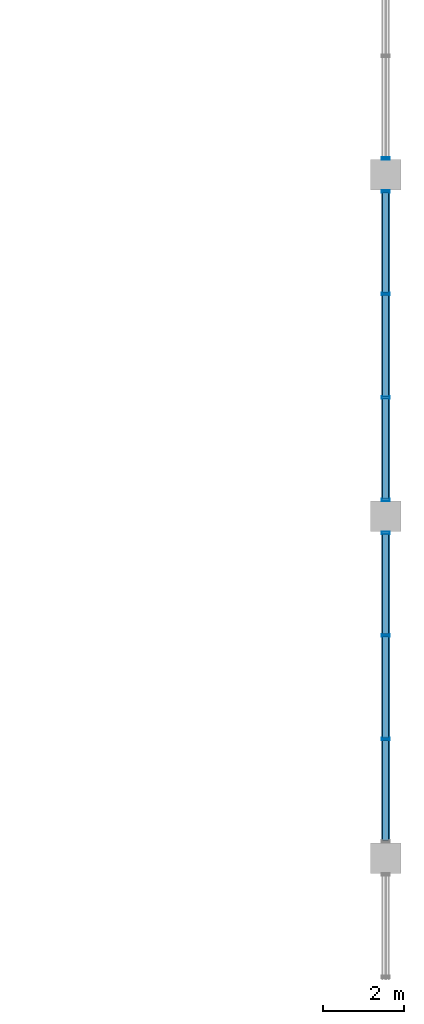
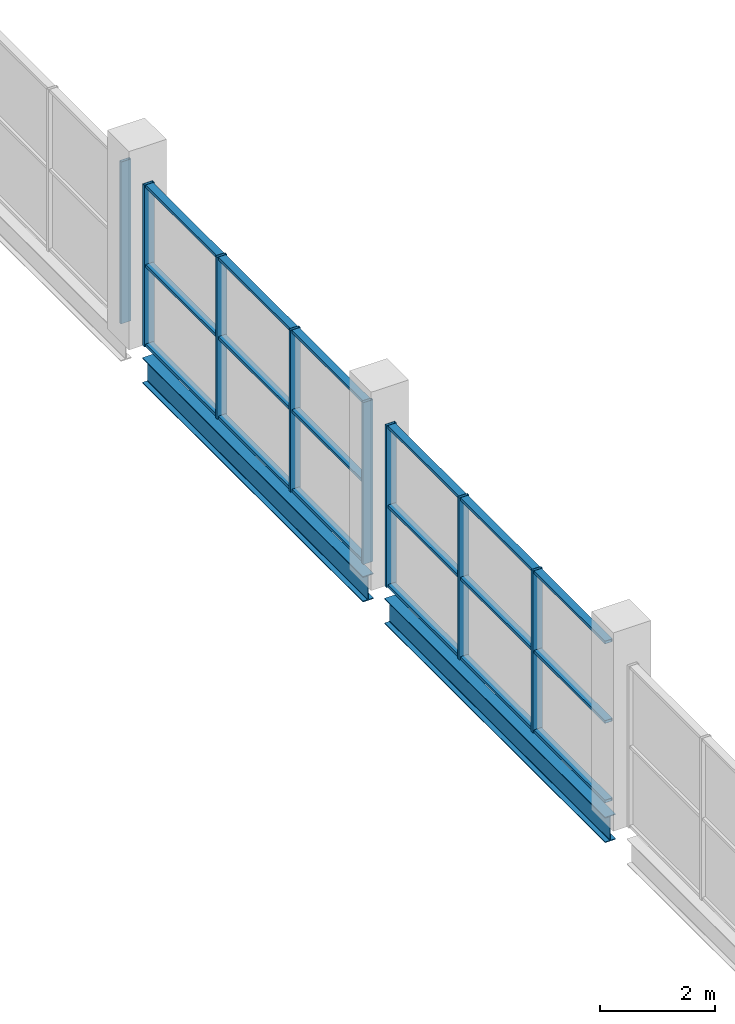
# One storey, part 26 of 68: 26 members, 2 beams, 3 elements without a shape of their own.
"""IFC4 building model written with IfcOpenShell, lengths in metres."""

from ifc_helpers import new_model, si_unit, direction, frame, origin, origin_2d, place, context, subcontext, project, spatial, hollow_rectangle, i_section, extrude, material, material_profile, profile_set, type_object, element, aggregate, save


model = new_model("IFC4")

# Units and contexts
model_context = context("Model", 3, precision=1e-05, world=origin(), true_north=direction((0.0, 1.0)))
body_context = subcontext(model_context, "Body", "Model", "MODEL_VIEW")
ifc_project = project(units=[si_unit("LENGTHUNIT", "METRE"), si_unit("AREAUNIT", "SQUARE_METRE"), si_unit("VOLUMEUNIT", "CUBIC_METRE"), si_unit("PLANEANGLEUNIT", "RADIAN"), si_unit("MASSUNIT", "GRAM", prefix="KILO"), si_unit("THERMODYNAMICTEMPERATUREUNIT", "KELVIN")], contexts=[model_context])

# Site, building, storey
site_placement = place(None, origin())
site = spatial("IfcSite", under=ifc_project, at=site_placement, CompositionType="ELEMENT")
building_placement = place(site_placement, origin())
building = spatial("IfcBuilding", under=site, at=building_placement, Name="Nduvali Passage Aquatics Centre", CompositionType="ELEMENT")
storey_placement = place(building_placement, frame((0.0, 0.0, 13.199951171875)))
storey = spatial("IfcBuildingStorey", under=building, at=storey_placement, Name="L03", CompositionType="ELEMENT", Elevation=13.199951171875)

# Curtain wall, members
ifc_material_1 = material(Name="Aluminium EN AW-6063 T6", Category="aluminium")
curtain_wall_type = type_object("IfcCurtainWallType", Name="ENV-CW-CLER", PredefinedType="NOTDEFINED", material=ifc_material_1)
curtain_wall_1_placement = place(storey_placement, origin())
curtain_wall_1 = element("IfcCurtainWall", 1, at=curtain_wall_1_placement, inside=storey, type_object=curtain_wall_type, Name="L03 East Passage Pool Hall High Arch Clerestory 029", PredefinedType="NOTDEFINED")
ifc_material_profile_1 = material_profile(ifc_material_1, hollow_rectangle(XDim=0.06005859375, YDim=0.199951171875, WallThickness=0.00390625, at=origin_2d()), Name="ALU MULLION 60x200x4")
ifc_profile_set_1 = profile_set([ifc_material_profile_1], Name="Aluminium EN AW-6063 T6")
member_type_1 = type_object("IfcMemberType", Name="ENV-MEM-MUL80", PredefinedType="MULLION", material=ifc_profile_set_1)
member_1_placement = place(storey_placement, frame((126.0, 53.324951171875, 0.0), z_axis=(0.0, 0.0, 1.0), x_axis=(0.0, 1.0, 0.0)))
member_1 = element("IfcMember", 2, at=member_1_placement, type_object=member_type_1, Name="East Passage Pool Hall High Arch Clerestory Mullion 2", PredefinedType="MULLION", context=body_context, shape_type="SweptSolid", body=[
    extrude(hollow_rectangle(XDim=0.06005859375, YDim=0.199951171875, WallThickness=0.00390625, at=origin_2d()), origin(), (0.0, 0.0, 1.0), 3.4267578125),
])
member_2_placement = place(storey_placement, frame((126.0, 55.875, 0.0), z_axis=(0.0, 0.0, 1.0), x_axis=(0.0, 1.0, 0.0)))
member_2 = element("IfcMember", 3, at=member_2_placement, type_object=member_type_1, Name="East Passage Pool Hall High Arch Clerestory Mullion 3", PredefinedType="MULLION", context=body_context, shape_type="SweptSolid", body=[
    extrude(hollow_rectangle(XDim=0.06005859375, YDim=0.199951171875, WallThickness=0.00390625, at=origin_2d()), origin(), (0.0, 0.0, 1.0), 3.4267578125),
])
member_3_placement = place(storey_placement, frame((126.0, 58.39501953125, 0.0), z_axis=(0.0, 0.0, 1.0), x_axis=(0.0, 1.0, 0.0)))
member_3 = element("IfcMember", 4, at=member_3_placement, type_object=member_type_1, Name="East Passage Pool Hall High Arch Clerestory Mullion 4", PredefinedType="MULLION", context=body_context, shape_type="SweptSolid", body=[
    extrude(hollow_rectangle(XDim=0.06005859375, YDim=0.199951171875, WallThickness=0.00390625, at=origin_2d()), origin(), (0.0, 0.0, 1.0), 3.4267578125),
])

curtain_wall_2_placement = place(storey_placement, origin())
curtain_wall_2 = element("IfcCurtainWall", 5, at=curtain_wall_2_placement, inside=storey, type_object=curtain_wall_type, Name="L03 East Passage Pool Hall High Arch Clerestory 032", PredefinedType="NOTDEFINED")
member_4_placement = place(storey_placement, frame((126.0, 59.205078125, 0.0), z_axis=(0.0, 0.0, 1.0), x_axis=(0.0, 1.0, 0.0)))
member_4 = element("IfcMember", 6, at=member_4_placement, type_object=member_type_1, Name="East Passage Pool Hall High Arch Clerestory Mullion 1", PredefinedType="MULLION", context=body_context, shape_type="SweptSolid", body=[
    extrude(hollow_rectangle(XDim=0.06005859375, YDim=0.199951171875, WallThickness=0.00390625, at=origin_2d()), origin(), (0.0, 0.0, 1.0), 3.4267578125),
])
member_5_placement = place(storey_placement, frame((126.0, 61.72509765625, 0.0), z_axis=(0.0, 0.0, 1.0), x_axis=(0.0, 1.0, 0.0)))
member_5 = element("IfcMember", 7, at=member_5_placement, type_object=member_type_1, Name="East Passage Pool Hall High Arch Clerestory Mullion 2", PredefinedType="MULLION", context=body_context, shape_type="SweptSolid", body=[
    extrude(hollow_rectangle(XDim=0.06005859375, YDim=0.199951171875, WallThickness=0.00390625, at=origin_2d()), origin(), (0.0, 0.0, 1.0), 3.4267578125),
])
member_6_placement = place(storey_placement, frame((126.0, 64.27490234375, 0.0), z_axis=(0.0, 0.0, 1.0), x_axis=(0.0, 1.0, 0.0)))
member_6 = element("IfcMember", 8, at=member_6_placement, type_object=member_type_1, Name="East Passage Pool Hall High Arch Clerestory Mullion 3", PredefinedType="MULLION", context=body_context, shape_type="SweptSolid", body=[
    extrude(hollow_rectangle(XDim=0.06005859375, YDim=0.199951171875, WallThickness=0.00390625, at=origin_2d()), origin(), (0.0, 0.0, 1.0), 3.4267578125),
])
member_7_placement = place(storey_placement, frame((126.0, 66.794921875, 0.0), z_axis=(0.0, 0.0, 1.0), x_axis=(0.0, 1.0, 0.0)))
member_7 = element("IfcMember", 9, at=member_7_placement, type_object=member_type_1, Name="East Passage Pool Hall High Arch Clerestory Mullion 4", PredefinedType="MULLION", context=body_context, shape_type="SweptSolid", body=[
    extrude(hollow_rectangle(XDim=0.06005859375, YDim=0.199951171875, WallThickness=0.00390625, at=origin_2d()), origin(), (0.0, 0.0, 1.0), 3.4267578125),
])

# Curtain wall, member
curtain_wall_3_placement = place(storey_placement, origin())
curtain_wall_3 = element("IfcCurtainWall", 10, at=curtain_wall_3_placement, inside=storey, type_object=curtain_wall_type, Name="L03 East Passage Pool Hall High Arch Clerestory 036", PredefinedType="NOTDEFINED")
member_8_placement = place(storey_placement, frame((126.0, 67.60498046875, 0.0), z_axis=(0.0, 0.0, 1.0), x_axis=(0.0, 1.0, 0.0)))
member_8 = element("IfcMember", 11, at=member_8_placement, type_object=member_type_1, Name="East Passage Pool Hall High Arch Clerestory Mullion 1", PredefinedType="MULLION", context=body_context, shape_type="SweptSolid", body=[
    extrude(hollow_rectangle(XDim=0.06005859375, YDim=0.199951171875, WallThickness=0.00390625, at=origin_2d()), origin(), (0.0, 0.0, 1.0), 3.4267578125),
])
aggregate(curtain_wall_3, [member_8])

# Member
ifc_material_profile_2 = material_profile(ifc_material_1, hollow_rectangle(XDim=0.14990234375, YDim=0.06005859375, WallThickness=0.00390625, at=origin_2d()), Name="ALU TRANSOM 150x60x4")
ifc_profile_set_2 = profile_set([ifc_material_profile_2], Name="Aluminium EN AW-6063 T6")
member_type_2 = type_object("IfcMemberType", Name="ENV-MEM-TRN80", PredefinedType="USERDEFINED", material=ifc_profile_set_2)
member_9_placement = place(storey_placement, frame((126.0, 50.8349609375, 0.030029296875), z_axis=(0.0, 1.0, 0.0), x_axis=(-1.0, 0.0, 0.0)))
member_9 = element("IfcMember", 12, at=member_9_placement, type_object=member_type_2, Name="East Passage Pool Hall High Arch Clerestory Transom B1-R0", ObjectType="TRANSOM", PredefinedType="USERDEFINED", context=body_context, shape_type="SweptSolid", body=[
    extrude(hollow_rectangle(XDim=0.14990234375, YDim=0.06005859375, WallThickness=0.00390625, at=origin_2d()), origin(), (0.0, 0.0, 1.0), 2.4599609375),
])

member_10_placement = place(storey_placement, frame((126.0, 50.8349609375, 1.71337890625), z_axis=(0.0, 1.0, 0.0), x_axis=(-1.0, 0.0, 0.0)))
member_10 = element("IfcMember", 13, at=member_10_placement, type_object=member_type_2, Name="East Passage Pool Hall High Arch Clerestory Transom B1-R1", ObjectType="TRANSOM", PredefinedType="USERDEFINED", context=body_context, shape_type="SweptSolid", body=[
    extrude(hollow_rectangle(XDim=0.14990234375, YDim=0.06005859375, WallThickness=0.00390625, at=origin_2d()), origin(), (0.0, 0.0, 1.0), 2.4599609375),
])

member_11_placement = place(storey_placement, frame((126.0, 50.8349609375, 3.396728515625), z_axis=(0.0, 1.0, 0.0), x_axis=(-1.0, 0.0, 0.0)))
member_11 = element("IfcMember", 14, at=member_11_placement, type_object=member_type_2, Name="East Passage Pool Hall High Arch Clerestory Transom B1-R2", ObjectType="TRANSOM", PredefinedType="USERDEFINED", context=body_context, shape_type="SweptSolid", body=[
    extrude(hollow_rectangle(XDim=0.14990234375, YDim=0.06005859375, WallThickness=0.00390625, at=origin_2d()), origin(), (0.0, 0.0, 1.0), 2.4599609375),
])

member_12_placement = place(storey_placement, frame((126.0, 53.35498046875, 0.030029296875), z_axis=(0.0, 1.0, 0.0), x_axis=(-1.0, 0.0, 0.0)))
member_12 = element("IfcMember", 15, at=member_12_placement, type_object=member_type_2, Name="East Passage Pool Hall High Arch Clerestory Transom B2-R0", ObjectType="TRANSOM", PredefinedType="USERDEFINED", context=body_context, shape_type="SweptSolid", body=[
    extrude(hollow_rectangle(XDim=0.14990234375, YDim=0.06005859375, WallThickness=0.00390625, at=origin_2d()), origin(), (0.0, 0.0, 1.0), 2.489990234375),
])

member_13_placement = place(storey_placement, frame((126.0, 53.35498046875, 1.71337890625), z_axis=(0.0, 1.0, 0.0), x_axis=(-1.0, 0.0, 0.0)))
member_13 = element("IfcMember", 16, at=member_13_placement, type_object=member_type_2, Name="East Passage Pool Hall High Arch Clerestory Transom B2-R1", ObjectType="TRANSOM", PredefinedType="USERDEFINED", context=body_context, shape_type="SweptSolid", body=[
    extrude(hollow_rectangle(XDim=0.14990234375, YDim=0.06005859375, WallThickness=0.00390625, at=origin_2d()), origin(), (0.0, 0.0, 1.0), 2.489990234375),
])

member_14_placement = place(storey_placement, frame((126.0, 53.35498046875, 3.396728515625), z_axis=(0.0, 1.0, 0.0), x_axis=(-1.0, 0.0, 0.0)))
member_14 = element("IfcMember", 17, at=member_14_placement, type_object=member_type_2, Name="East Passage Pool Hall High Arch Clerestory Transom B2-R2", ObjectType="TRANSOM", PredefinedType="USERDEFINED", context=body_context, shape_type="SweptSolid", body=[
    extrude(hollow_rectangle(XDim=0.14990234375, YDim=0.06005859375, WallThickness=0.00390625, at=origin_2d()), origin(), (0.0, 0.0, 1.0), 2.489990234375),
])

member_15_placement = place(storey_placement, frame((126.0, 55.905029296875, 0.030029296875), z_axis=(0.0, 1.0, 0.0), x_axis=(-1.0, 0.0, 0.0)))
member_15 = element("IfcMember", 18, at=member_15_placement, type_object=member_type_2, Name="East Passage Pool Hall High Arch Clerestory Transom B3-R0", ObjectType="TRANSOM", PredefinedType="USERDEFINED", context=body_context, shape_type="SweptSolid", body=[
    extrude(hollow_rectangle(XDim=0.14990234375, YDim=0.06005859375, WallThickness=0.00390625, at=origin_2d()), origin(), (0.0, 0.0, 1.0), 2.4599609375),
])

member_16_placement = place(storey_placement, frame((126.0, 55.905029296875, 1.71337890625), z_axis=(0.0, 1.0, 0.0), x_axis=(-1.0, 0.0, 0.0)))
member_16 = element("IfcMember", 19, at=member_16_placement, type_object=member_type_2, Name="East Passage Pool Hall High Arch Clerestory Transom B3-R1", ObjectType="TRANSOM", PredefinedType="USERDEFINED", context=body_context, shape_type="SweptSolid", body=[
    extrude(hollow_rectangle(XDim=0.14990234375, YDim=0.06005859375, WallThickness=0.00390625, at=origin_2d()), origin(), (0.0, 0.0, 1.0), 2.4599609375),
])

member_17_placement = place(storey_placement, frame((126.0, 55.905029296875, 3.396728515625), z_axis=(0.0, 1.0, 0.0), x_axis=(-1.0, 0.0, 0.0)))
member_17 = element("IfcMember", 20, at=member_17_placement, type_object=member_type_2, Name="East Passage Pool Hall High Arch Clerestory Transom B3-R2", ObjectType="TRANSOM", PredefinedType="USERDEFINED", context=body_context, shape_type="SweptSolid", body=[
    extrude(hollow_rectangle(XDim=0.14990234375, YDim=0.06005859375, WallThickness=0.00390625, at=origin_2d()), origin(), (0.0, 0.0, 1.0), 2.4599609375),
])

aggregate(curtain_wall_1, [member_1, member_2, member_3, member_9, member_10, member_11, member_12, member_13, member_14, member_15, member_16, member_17])

member_18_placement = place(storey_placement, frame((126.0, 59.235107421875, 0.030029296875), z_axis=(0.0, 1.0, 0.0), x_axis=(-1.0, 0.0, 0.0)))
member_18 = element("IfcMember", 21, at=member_18_placement, type_object=member_type_2, Name="East Passage Pool Hall High Arch Clerestory Transom B1-R0", ObjectType="TRANSOM", PredefinedType="USERDEFINED", context=body_context, shape_type="SweptSolid", body=[
    extrude(hollow_rectangle(XDim=0.14990234375, YDim=0.06005859375, WallThickness=0.00390625, at=origin_2d()), origin(), (0.0, 0.0, 1.0), 2.4599609375),
])

member_19_placement = place(storey_placement, frame((126.0, 59.235107421875, 1.71337890625), z_axis=(0.0, 1.0, 0.0), x_axis=(-1.0, 0.0, 0.0)))
member_19 = element("IfcMember", 22, at=member_19_placement, type_object=member_type_2, Name="East Passage Pool Hall High Arch Clerestory Transom B1-R1", ObjectType="TRANSOM", PredefinedType="USERDEFINED", context=body_context, shape_type="SweptSolid", body=[
    extrude(hollow_rectangle(XDim=0.14990234375, YDim=0.06005859375, WallThickness=0.00390625, at=origin_2d()), origin(), (0.0, 0.0, 1.0), 2.4599609375),
])

member_20_placement = place(storey_placement, frame((126.0, 59.235107421875, 3.396728515625), z_axis=(0.0, 1.0, 0.0), x_axis=(-1.0, 0.0, 0.0)))
member_20 = element("IfcMember", 23, at=member_20_placement, type_object=member_type_2, Name="East Passage Pool Hall High Arch Clerestory Transom B1-R2", ObjectType="TRANSOM", PredefinedType="USERDEFINED", context=body_context, shape_type="SweptSolid", body=[
    extrude(hollow_rectangle(XDim=0.14990234375, YDim=0.06005859375, WallThickness=0.00390625, at=origin_2d()), origin(), (0.0, 0.0, 1.0), 2.4599609375),
])

member_21_placement = place(storey_placement, frame((126.0, 61.7548828125, 0.030029296875), z_axis=(0.0, 1.0, 0.0), x_axis=(-1.0, 0.0, 0.0)))
member_21 = element("IfcMember", 24, at=member_21_placement, type_object=member_type_2, Name="East Passage Pool Hall High Arch Clerestory Transom B2-R0", ObjectType="TRANSOM", PredefinedType="USERDEFINED", context=body_context, shape_type="SweptSolid", body=[
    extrude(hollow_rectangle(XDim=0.14990234375, YDim=0.06005859375, WallThickness=0.00390625, at=origin_2d()), origin(), (0.0, 0.0, 1.0), 2.490234375),
])

member_22_placement = place(storey_placement, frame((126.0, 61.7548828125, 1.71337890625), z_axis=(0.0, 1.0, 0.0), x_axis=(-1.0, 0.0, 0.0)))
member_22 = element("IfcMember", 25, at=member_22_placement, type_object=member_type_2, Name="East Passage Pool Hall High Arch Clerestory Transom B2-R1", ObjectType="TRANSOM", PredefinedType="USERDEFINED", context=body_context, shape_type="SweptSolid", body=[
    extrude(hollow_rectangle(XDim=0.14990234375, YDim=0.06005859375, WallThickness=0.00390625, at=origin_2d()), origin(), (0.0, 0.0, 1.0), 2.490234375),
])

member_23_placement = place(storey_placement, frame((126.0, 61.7548828125, 3.396728515625), z_axis=(0.0, 1.0, 0.0), x_axis=(-1.0, 0.0, 0.0)))
member_23 = element("IfcMember", 26, at=member_23_placement, type_object=member_type_2, Name="East Passage Pool Hall High Arch Clerestory Transom B2-R2", ObjectType="TRANSOM", PredefinedType="USERDEFINED", context=body_context, shape_type="SweptSolid", body=[
    extrude(hollow_rectangle(XDim=0.14990234375, YDim=0.06005859375, WallThickness=0.00390625, at=origin_2d()), origin(), (0.0, 0.0, 1.0), 2.490234375),
])

member_24_placement = place(storey_placement, frame((126.0, 64.304931640625, 0.030029296875), z_axis=(0.0, 1.0, 0.0), x_axis=(-1.0, 0.0, 0.0)))
member_24 = element("IfcMember", 27, at=member_24_placement, type_object=member_type_2, Name="East Passage Pool Hall High Arch Clerestory Transom B3-R0", ObjectType="TRANSOM", PredefinedType="USERDEFINED", context=body_context, shape_type="SweptSolid", body=[
    extrude(hollow_rectangle(XDim=0.14990234375, YDim=0.06005859375, WallThickness=0.00390625, at=origin_2d()), origin(), (0.0, 0.0, 1.0), 2.4599609375),
])

member_25_placement = place(storey_placement, frame((126.0, 64.304931640625, 1.71337890625), z_axis=(0.0, 1.0, 0.0), x_axis=(-1.0, 0.0, 0.0)))
member_25 = element("IfcMember", 28, at=member_25_placement, type_object=member_type_2, Name="East Passage Pool Hall High Arch Clerestory Transom B3-R1", ObjectType="TRANSOM", PredefinedType="USERDEFINED", context=body_context, shape_type="SweptSolid", body=[
    extrude(hollow_rectangle(XDim=0.14990234375, YDim=0.06005859375, WallThickness=0.00390625, at=origin_2d()), origin(), (0.0, 0.0, 1.0), 2.4599609375),
])

member_26_placement = place(storey_placement, frame((126.0, 64.304931640625, 3.396728515625), z_axis=(0.0, 1.0, 0.0), x_axis=(-1.0, 0.0, 0.0)))
member_26 = element("IfcMember", 29, at=member_26_placement, type_object=member_type_2, Name="East Passage Pool Hall High Arch Clerestory Transom B3-R2", ObjectType="TRANSOM", PredefinedType="USERDEFINED", context=body_context, shape_type="SweptSolid", body=[
    extrude(hollow_rectangle(XDim=0.14990234375, YDim=0.06005859375, WallThickness=0.00390625, at=origin_2d()), origin(), (0.0, 0.0, 1.0), 2.4599609375),
])

aggregate(curtain_wall_2, [member_4, member_5, member_6, member_7, member_18, member_19, member_20, member_21, member_22, member_23, member_24, member_25, member_26])

# Beams
ifc_material_2 = material(Name="Steel S355", Category="steel")
ifc_material_profile_3 = material_profile(ifc_material_2, i_section(OverallWidth=0.210693359375, OverallDepth=0.53955078125, WebThickness=0.01171875, FlangeThickness=0.018798828125, FilletRadius=0.0126953125, at=origin_2d()), Name="UKB 533x210x109")
ifc_profile_set_3 = profile_set([ifc_material_profile_3], Name="Steel S355")
beam_type = type_object("IfcBeamType", Name="STR-BM-UKB533-EXT", PredefinedType="BEAM", material=ifc_profile_set_3)
beam_1_placement = place(storey_placement, frame((126.0, 50.77490234375, -0.523681640625), z_axis=(0.0, 1.0, 0.0), x_axis=(-1.0, 0.0, 0.0)))
element("IfcBeam", 30, at=beam_1_placement, inside=storey, type_object=beam_type, Name="L03 Primary Y-Girder B6E-1276", PredefinedType="BEAM", context=body_context, shape_type="SweptSolid", body=[
    extrude(i_section(OverallWidth=0.210693359375, OverallDepth=0.53955078125, WebThickness=0.01171875, FlangeThickness=0.018798828125, FilletRadius=0.0126953125, at=origin_2d()), origin(), (0.0, 0.0, 1.0), 7.650146484375),
])
beam_2_placement = place(storey_placement, frame((126.0, 59.175048828125, -0.523681640625), z_axis=(0.0, 1.0, 0.0), x_axis=(-1.0, 0.0, 0.0)))
element("IfcBeam", 31, at=beam_2_placement, inside=storey, type_object=beam_type, Name="L03 Primary Y-Girder B6E-1277", PredefinedType="BEAM", context=body_context, shape_type="SweptSolid", body=[
    extrude(i_section(OverallWidth=0.210693359375, OverallDepth=0.53955078125, WebThickness=0.01171875, FlangeThickness=0.018798828125, FilletRadius=0.0126953125, at=origin_2d()), origin(), (0.0, 0.0, 1.0), 7.64990234375),
])

save(model, "model.ifc")
